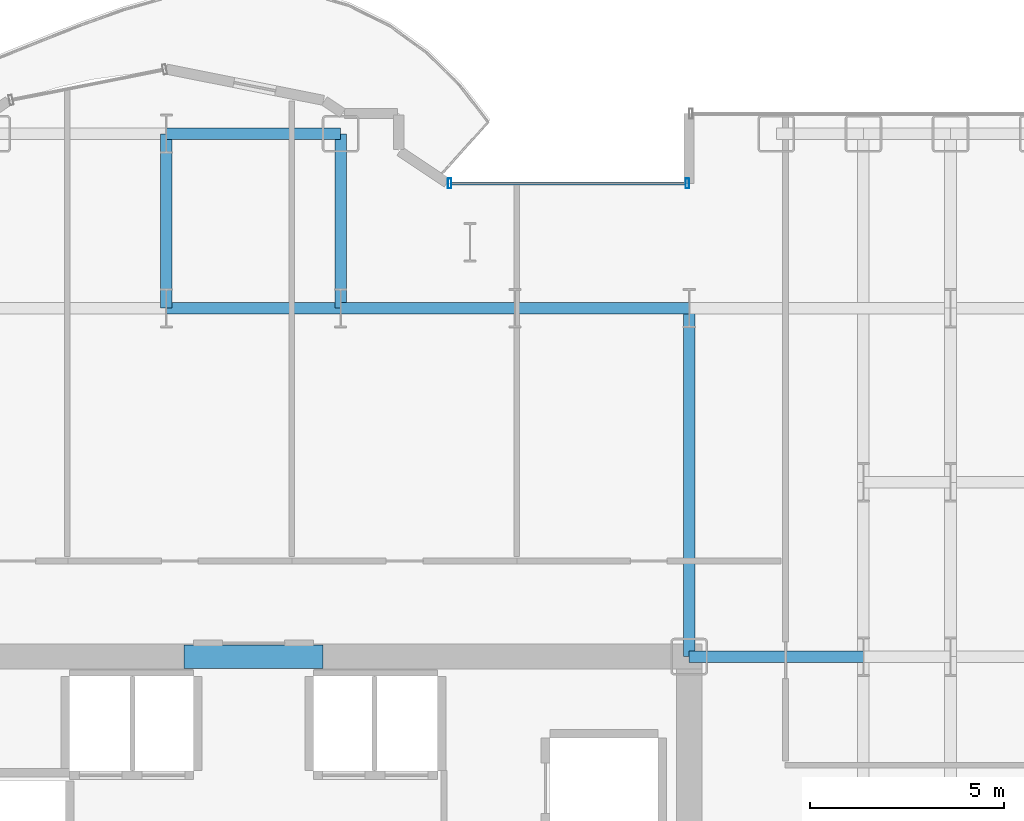
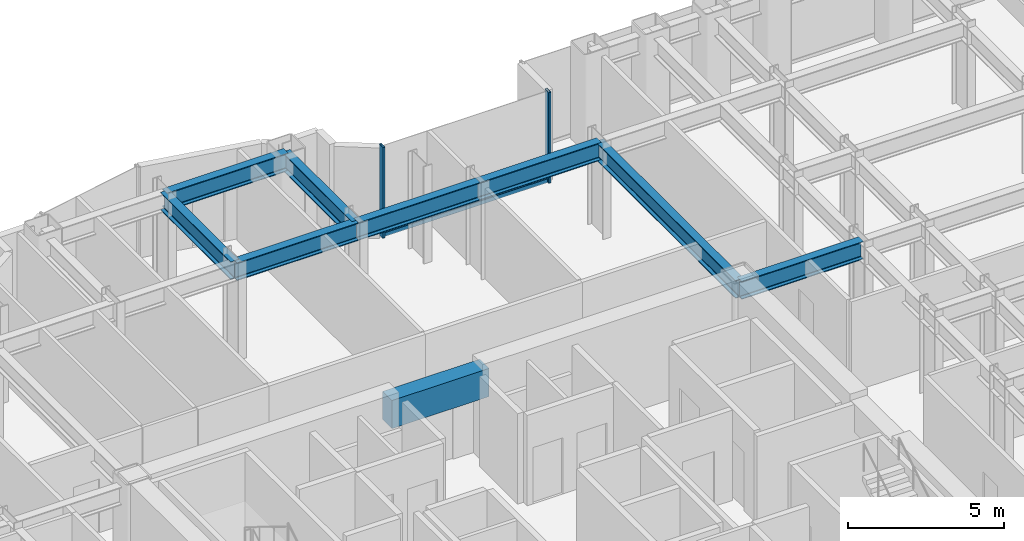
# One storey, part 14 of 29: 9 beams, 3 members, 1 element without a shape of its own.
"""IFC4 building model written with IfcOpenShell, lengths in metres."""

from ifc_helpers import new_model, si_unit, direction, frame, origin, origin_2d, place, context, subcontext, project, spatial, rectangle, hollow_rectangle, i_section, extrude, source, transform, mapped, material, layer, layer_set, material_profile, profile_set, type_object, element, aggregate, save


model = new_model("IFC4")

# Units and contexts
model_context = context("Model", 3, precision=1e-05, world=origin(), true_north=direction((0.0, 1.0)))
body_context = subcontext(model_context, "Body", "Model", "MODEL_VIEW")
ifc_project = project(units=[si_unit("LENGTHUNIT", "METRE"), si_unit("AREAUNIT", "SQUARE_METRE"), si_unit("VOLUMEUNIT", "CUBIC_METRE"), si_unit("PLANEANGLEUNIT", "RADIAN"), si_unit("MASSUNIT", "GRAM", prefix="KILO")], contexts=[model_context])

# Site, building, storey
site_placement = place(None, origin())
site = spatial("IfcSite", under=ifc_project, at=site_placement, CompositionType="ELEMENT")
building_placement = place(site_placement, origin())
building = spatial("IfcBuilding", under=site, at=building_placement, Name="Nefas-Gora Pilgrimage Tower", CompositionType="ELEMENT")
storey_placement = place(building_placement, frame((0.0, 0.0, 44.39990234375)))
storey = spatial("IfcBuildingStorey", under=building, at=storey_placement, Name="L09", CompositionType="ELEMENT", Elevation=44.39990234375)

# Beams
ifc_material_1 = material(Name="Concrete C60/75", Category="concrete")
ifc_material_profile_1 = material_profile(ifc_material_1, rectangle(XDim=0.60009765625, YDim=1.10009765625, at=origin_2d()), Name="RC 600x1100")
ifc_profile_set_1 = profile_set([ifc_material_profile_1], Name="Concrete C60/75")
beam_type_1 = type_object("IfcBeamType", Name="BM-LIN-RC1100", PredefinedType="LINTEL", material=ifc_profile_set_1)
shared_shape_1 = source(origin(), body_context, "Body", "SweptSolid", [
    extrude(rectangle(XDim=0.60009765625, YDim=1.10009765625, at=origin_2d()), origin(), (0.0, 0.0, 1.0), 3.60009765625),
])
beam_1_placement = place(storey_placement, frame((-1.800048828125, 9.0, 3.0), z_axis=(1.0, 0.0, 0.0), x_axis=(0.0, 1.0, 0.0)))
element("IfcBeam", 1, at=beam_1_placement, inside=storey, type_object=beam_type_1, Name="L09 Core Coupling Lintel Beam N", PredefinedType="LINTEL", context=body_context, shape_type="MappedRepresentation", body=[
    mapped(shared_shape_1, transform((0.0, 0.0, 0.0), x_axis=(1.0, 0.0, 0.0), y_axis=(0.0, 1.0, 0.0), z_axis=(0.0, 0.0, 1.0), scale=1.0)),
])
ifc_material_2 = material(Name="Steel S355", Category="steel")
ifc_material_profile_2 = material_profile(ifc_material_2, i_section(OverallWidth=0.300048828125, OverallDepth=0.699951171875, WebThickness=0.01708984375, FlangeThickness=0.031982421875, FilletRadius=0.027099609375, at=origin_2d()), Name="HEB 700")
ifc_profile_set_2 = profile_set([ifc_material_profile_2], Name="Steel S355")
beam_type_2 = type_object("IfcBeamType", Name="BM-GIR-HEB700", PredefinedType="BEAM", material=ifc_profile_set_2)
shared_shape_2 = source(origin(), body_context, "Body", "SweptSolid", [
    extrude(i_section(OverallWidth=0.300048828125, OverallDepth=0.699951171875, WebThickness=0.01708984375, FlangeThickness=0.031982421875, FilletRadius=0.027099609375, at=origin_2d()), origin(), (0.0, 0.0, 1.0), 9.0),
])
beam_2_placement = place(storey_placement, frame((11.25, 9.0, 3.2001953125), z_axis=(0.0, 1.0, 0.0), x_axis=(-1.0, 0.0, 0.0)))
element("IfcBeam", 2, at=beam_2_placement, inside=storey, type_object=beam_type_2, Name="L09 G-02 beam", PredefinedType="BEAM", context=body_context, shape_type="MappedRepresentation", body=[
    mapped(shared_shape_2, transform((0.0, 0.0, 0.0), x_axis=(1.0, 0.0, 0.0), y_axis=(0.0, 1.0, 0.0), z_axis=(0.0, 0.0, 1.0), scale=1.0)),
])
shared_shape_3 = source(origin(), body_context, "Body", "SweptSolid", [
    extrude(i_section(OverallWidth=0.300048828125, OverallDepth=0.699951171875, WebThickness=0.01708984375, FlangeThickness=0.031982421875, FilletRadius=0.027099609375, at=origin_2d()), origin(), (0.0, 0.0, 1.0), 4.5),
])
for number, where, z_axis, x_axis, name in (
    (3, (-2.25, 18.0, 3.2001953125), (0.0, 1.0, 0.0), (-1.0, 0.0, 0.0), "L09 G-02 beam"),
    (4, (-2.25, 18.0, 3.2001953125), (1.0, 0.0, 0.0), (0.0, 1.0, 0.0), "L09 G-02 beam"),
    (5, (-2.25, 22.5, 3.2001953125), (1.0, 0.0, 0.0), (0.0, 1.0, 0.0), "L09 G-02 beam"),
    (6, (2.25, 18.0, 3.2001953125), (0.0, 1.0, 0.0), (-1.0, 0.0, 0.0), "L09 G-02 beam"),
    (7, (2.25, 18.0, 3.2001953125), (1.0, 0.0, 0.0), (0.0, 1.0, 0.0), "L09 G-02 beam"),
    (8, (6.75, 18.0, 3.2001953125), (1.0, 0.0, 0.0), (0.0, 1.0, 0.0), "L09 G-02 beam"),
    (9, (11.25, 9.0, 3.2001953125), (1.0, 0.0, 0.0), (0.0, 1.0, 0.0), "L09 G-02 beam"),
):
    element("IfcBeam", number, at=place(storey_placement, frame(where, z_axis=z_axis, x_axis=x_axis)), inside=storey, type_object=beam_type_2, Name=name, PredefinedType="BEAM", context=body_context, shape_type="MappedRepresentation", body=[
        mapped(shared_shape_3, transform((0.0, 0.0, 0.0), x_axis=(1.0, 0.0, 0.0), y_axis=(0.0, 1.0, 0.0), z_axis=(0.0, 0.0, 1.0), scale=1.0)),
    ])

# Curtain wall, members
ifc_material_3 = material(Name="Dark ceramic-fritted solar-control aluminium-glass curtain wall", Category="aluminium")
ifc_layer = layer(ifc_material_3, 0.219970703125)
ifc_layer_set = layer_set([ifc_layer], Name="Dark ceramic-fritted solar-control aluminium-glass curtain wall")
curtain_wall_type = type_object("IfcCurtainWallType", Name="CW-SYS-5", PredefinedType="NOTDEFINED", material=ifc_layer_set)
curtain_wall_placement = place(storey_placement, origin())
curtain_wall = element("IfcCurtainWall", 10, at=curtain_wall_placement, inside=storey, type_object=curtain_wall_type, Name="L09 Unitised Curtain Wall CW5", PredefinedType="NOTDEFINED")
ifc_material_4 = material(Name="Anodised architectural aluminium", Category="aluminium")
ifc_material_profile_3 = material_profile(ifc_material_4, hollow_rectangle(XDim=0.090087890625, YDim=0.260009765625, WallThickness=0.006103515625, InnerFilletRadius=0.006103515625, OuterFilletRadius=0.011962890625, at=origin_2d()), Name="ALU MULLION 90x260")
ifc_profile_set_3 = profile_set([ifc_material_profile_3], Name="Anodised architectural aluminium")
member_type_1 = type_object("IfcMemberType", Name="CWM-MUL-5", PredefinedType="MULLION", material=ifc_profile_set_3)
shared_shape_4 = source(origin(), body_context, "Body", "SweptSolid", [
    extrude(hollow_rectangle(XDim=0.090087890625, YDim=0.260009765625, WallThickness=0.006103515625, InnerFilletRadius=0.006103515625, OuterFilletRadius=0.011962890625, at=origin_2d()), origin(), (0.0, 0.0, 1.0), 3.550048828125),
])
member_1_placement = place(storey_placement, frame((11.205078125, 21.219970703125, 0.0), z_axis=(0.0, 0.0, 1.0), x_axis=(-1.0, 0.0, 0.0)))
member_1 = element("IfcMember", 11, at=member_1_placement, type_object=member_type_1, Name="CW5 Mullion 1", PredefinedType="MULLION", context=body_context, shape_type="MappedRepresentation", body=[
    mapped(shared_shape_4, transform((0.0, 0.0, 0.0), x_axis=(1.0, 0.0, 0.0), y_axis=(0.0, 1.0, 0.0), z_axis=(0.0, 0.0, 1.0), scale=1.0)),
])
member_2_placement = place(storey_placement, frame((5.06298828125, 21.219970703125, 0.0), z_axis=(0.0, 0.0, 1.0), x_axis=(-1.0, 0.0, 0.0)))
member_2 = element("IfcMember", 12, at=member_2_placement, type_object=member_type_1, Name="CW5 Mullion 2", PredefinedType="MULLION", context=body_context, shape_type="MappedRepresentation", body=[
    mapped(shared_shape_4, transform((0.0, 0.0, 0.0), x_axis=(1.0, 0.0, 0.0), y_axis=(0.0, 1.0, 0.0), z_axis=(0.0, 0.0, 1.0), scale=1.0)),
])
ifc_material_profile_4 = material_profile(ifc_material_4, hollow_rectangle(XDim=0.080078125, YDim=0.159912109375, WallThickness=0.00439453125, InnerFilletRadius=0.00439453125, OuterFilletRadius=0.009033203125, at=origin_2d()), Name="ALU TRANSOM 80x160")
ifc_profile_set_4 = profile_set([ifc_material_profile_4], Name="Anodised architectural aluminium")
member_type_2 = type_object("IfcMemberType", Name="CWM-TRN-5", PredefinedType="USERDEFINED", material=ifc_profile_set_4)
shared_shape_5 = source(origin(), body_context, "Body", "SweptSolid", [
    extrude(hollow_rectangle(XDim=0.080078125, YDim=0.159912109375, WallThickness=0.00439453125, InnerFilletRadius=0.00439453125, OuterFilletRadius=0.009033203125, at=origin_2d()), origin(), (0.0, 0.0, 1.0), 6.052001953125),
])
member_3_placement = place(storey_placement, frame((11.159912109375, 21.219970703125, 0.050048828125), z_axis=(-1.0, 0.0, 0.0), x_axis=(0.0, -1.0, 0.0)))
member_3 = element("IfcMember", 13, at=member_3_placement, type_object=member_type_2, Name="CW5 Spandrel Transom", ObjectType="TRANSOM", PredefinedType="USERDEFINED", context=body_context, shape_type="MappedRepresentation", body=[
    mapped(shared_shape_5, transform((0.0, 0.0, 0.0), x_axis=(1.0, 0.0, 0.0), y_axis=(0.0, 1.0, 0.0), z_axis=(0.0, 0.0, 1.0), scale=1.0)),
])
aggregate(curtain_wall, [member_1, member_2, member_3])

save(model, "model.ifc")
